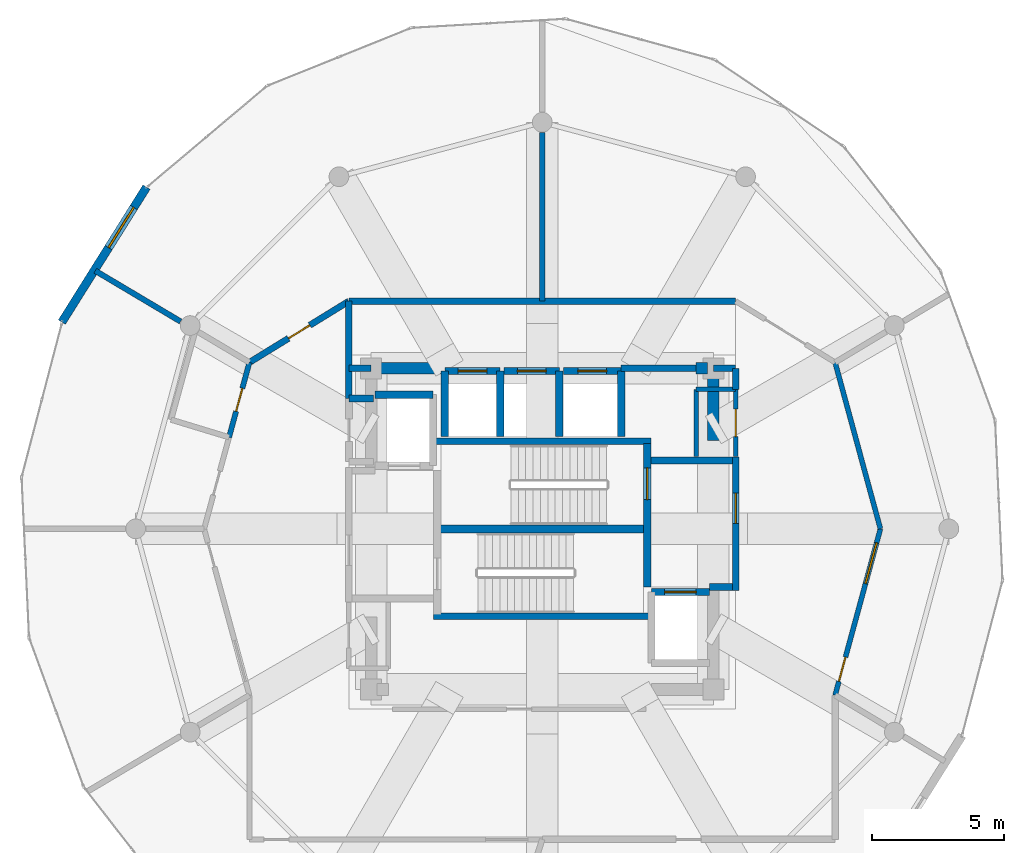
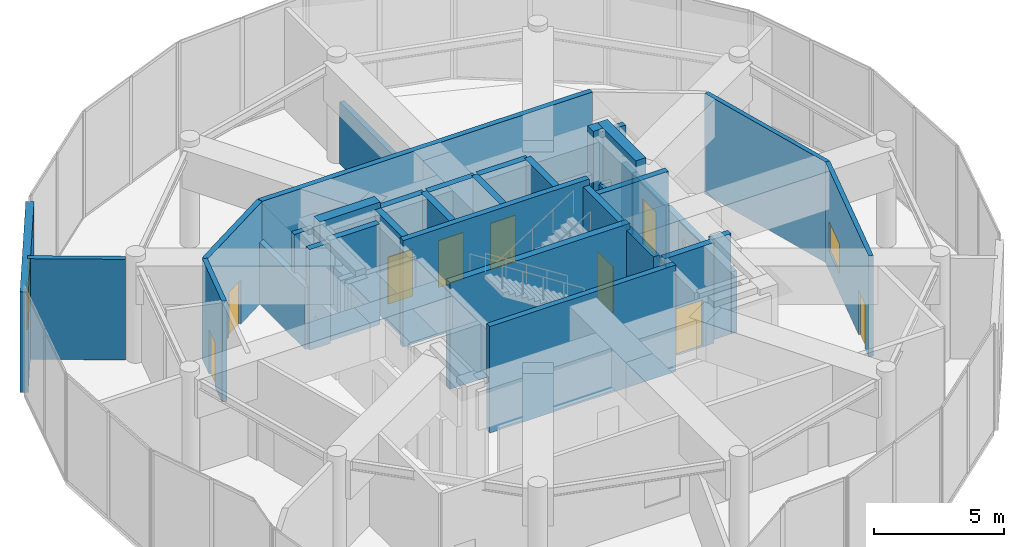
# One storey, part 18 of 20: 36 walls, 10 doors, 2 windows, 12 openings.
"""IFC4 building model written with IfcOpenShell, lengths in metres."""

import ifcopenshell
import ifcopenshell.guid

model = None  # the IFC model being written
_history = None  # IfcOwnerHistory: only IFC2X3 demands one
_inside = {}  # id of a spatial element -> (the spatial element, [elements in it])
_under = {}  # id of a project, library or spatial element -> (it, [spatial elements below it])
_declared = {}  # id of a project -> (the project, [libraries it declares])
_typed = {}  # id of a type object -> (the type object, [elements of that type])
_made_of = {}  # id of a material, layer set ... -> (it, [elements and type objects made of it])


def new_model(schema):
    """Start an empty IFC model of exactly this schema.

    Asked for "IFC4X3", IfcOpenShell would pick the latest addendum, in which some entities
    have other attributes; the version numbers below select the first issue.
    IFC2X3 requires an IfcOwnerHistory on every rooted entity: one is made here for all.
    """
    global model, _history
    if schema == "IFC4X3":
        model = ifcopenshell.file(schema_version=(4, 3, 0, 0))
    else:
        model = ifcopenshell.file(schema=schema)
    _inside.clear()
    _under.clear()
    _declared.clear()
    _typed.clear()
    _made_of.clear()
    _history = None
    if model.schema == "IFC2X3":
        org = make("IfcOrganization", Name="unknown")
        user = make(
            "IfcPersonAndOrganization",
            ThePerson=make("IfcPerson", FamilyName="unknown"),
            TheOrganization=org,
        )
        app = make(
            "IfcApplication",
            ApplicationDeveloper=org,
            Version="unknown",
            ApplicationFullName="unknown",
            ApplicationIdentifier="unknown",
        )
        _history = make(
            "IfcOwnerHistory",
            OwningUser=user,
            OwningApplication=app,
            ChangeAction="ADDED",
            CreationDate=0,
        )
    return model


def make(cls, **values):
    """One entity of the class cls with the attributes given. An attribute that is None is left unset."""
    return model.create_entity(
        cls, **{name: value for name, value in values.items() if value is not None}
    )


def rooted(cls, **values):
    """An entity with a GlobalId (a new one), such as an element, a storey or a relation."""
    return make(cls, GlobalId=ifcopenshell.guid.new(), OwnerHistory=_history, **values)


def si_unit(unit_type, name, prefix=None):
    """IfcSIUnit, for example si_unit("LENGTHUNIT", "METRE", prefix="MILLI")."""
    return make("IfcSIUnit", UnitType=unit_type, Prefix=prefix, Name=name)


def assignment(units):
    """IfcUnitAssignment: the units of a project."""
    return None if units is None else make("IfcUnitAssignment", Units=units)


def point(xyz):
    """IfcCartesianPoint."""
    return None if xyz is None else make("IfcCartesianPoint", Coordinates=xyz)


def direction(xyz):
    """IfcDirection."""
    return None if xyz is None else make("IfcDirection", DirectionRatios=xyz)


def frame(location, z_axis=None, x_axis=None):
    """IfcAxis2Placement3D, a coordinate frame: its origin and axes. An axis left out is left unset."""
    return make(
        "IfcAxis2Placement3D",
        Location=point(location),
        Axis=direction(z_axis),
        RefDirection=direction(x_axis),
    )


def frame_2d(location, x_axis=None):
    """IfcAxis2Placement2D, a coordinate frame in the plane: its origin and x axis."""
    return make(
        "IfcAxis2Placement2D", Location=point(location), RefDirection=direction(x_axis)
    )


def origin():
    """The frame at (0, 0, 0) with its axes left unset."""
    return frame((0.0, 0.0, 0.0))


def place(relative_to, where):
    """IfcLocalPlacement: puts the frame where relative to a parent placement (None: the world)."""
    return make(
        "IfcLocalPlacement", PlacementRelTo=relative_to, RelativePlacement=where
    )


def context(
    kind, dimensions, precision=None, world=None, true_north=None, identifier=None
):
    """IfcGeometricRepresentationContext, for example the 3D "Model" context."""
    return make(
        "IfcGeometricRepresentationContext",
        ContextIdentifier=identifier,
        ContextType=kind,
        CoordinateSpaceDimension=dimensions,
        Precision=precision,
        WorldCoordinateSystem=world,
        TrueNorth=true_north,
    )


def subcontext(parent, identifier, kind, view, scale=None):
    """IfcGeometricRepresentationSubContext, for example "Body" below "Model"."""
    return make(
        "IfcGeometricRepresentationSubContext",
        ContextIdentifier=identifier,
        ContextType=kind,
        ParentContext=parent,
        TargetScale=scale,
        TargetView=view,
    )


def project(units=None, contexts=None):
    """IfcProject with its units and contexts."""
    return rooted(
        "IfcProject",
        Name="project",
        RepresentationContexts=contexts,
        UnitsInContext=assignment(units),
    )


def spatial(cls, under=None, at=None, **own):
    """A site, building, storey or space (cls), placed at a placement, below another one or the project."""
    s = rooted(cls, ObjectPlacement=at, **own)
    if under is not None:
        _under.setdefault(under.id(), (under, []))[1].append(s)
    return s


def profile(cls, at=None, kind="AREA", **sizes):
    """A parametric profile (cls). Its sizes go by their IFC names, for example OverallWidth=200.0."""
    return make(cls, ProfileType=kind, Position=at, **sizes)


def rectangle(**sizes):
    """IfcRectangleProfileDef."""
    return profile("IfcRectangleProfileDef", **sizes)


def extrude(swept, where, along, depth):
    """IfcExtrudedAreaSolid: the profile swept, set in the frame where, extruded along a direction by depth."""
    return make(
        "IfcExtrudedAreaSolid",
        SweptArea=swept,
        Position=where,
        ExtrudedDirection=direction(along),
        Depth=depth,
    )


def shape(context_of_items, identifier, shape_type, items):
    """IfcShapeRepresentation: the items that make up one representation, for example the "Body"."""
    return make(
        "IfcShapeRepresentation",
        ContextOfItems=context_of_items,
        RepresentationIdentifier=identifier,
        RepresentationType=shape_type,
        Items=items,
    )


def material(Name=None, Category=None):
    """IfcMaterial."""
    return make("IfcMaterial", Name=Name, Category=Category)


def layer(
    of_material, thickness, ventilated=None, Name=None, Category=None, Priority=None
):
    """IfcMaterialLayer: one layer of a wall or slab, of a material (None: an air gap)."""
    return make(
        "IfcMaterialLayer",
        Material=of_material,
        LayerThickness=thickness,
        IsVentilated=ventilated,
        Name=Name,
        Category=Category,
        Priority=Priority,
    )


def layer_set(layers, Name=None):
    """IfcMaterialLayerSet."""
    return make("IfcMaterialLayerSet", MaterialLayers=layers, LayerSetName=Name)


def made_of(thing, what):
    """Note that an element or type object is made of a material, layer set ...; save() writes the relation."""
    if what is not None:
        _made_of.setdefault(what.id(), (what, []))[1].append(thing)
    return thing


def type_object(cls, material=None, **own):
    """A type object (cls), such as IfcWallType, which elements share."""
    return made_of(rooted(cls, **own), material)


def element(
    cls,
    number,
    at=None,
    inside=None,
    cuts=None,
    type_object=None,
    material=None,
    context=None,
    identifier="Body",
    shape_type=None,
    held_by="IfcProductDefinitionShape",
    body=None,
    shapes=None,
    **own,
):
    """One element of the class cls, such as IfcWall. Its Tag is "e" and its number.

    at: its placement. inside: the storey or other place that contains it. cuts: it is an
    opening in that element (IfcRelVoidsElement). A single representation is given by context,
    identifier, shape_type and body (its items); several are given by shapes. held_by: the class
    of the entity that holds the representations. save() writes the other relations.
    """
    e = rooted(cls, Tag="e%d" % number, ObjectPlacement=at, **own)
    if body is not None:
        shapes = [shape(context, identifier, shape_type, body)]
    if shapes is not None:
        e.Representation = make(held_by, Representations=shapes)
    if inside is not None:
        _inside.setdefault(inside.id(), (inside, []))[1].append(e)
    if cuts is not None:
        rooted(
            "IfcRelVoidsElement", RelatingBuildingElement=cuts, RelatedOpeningElement=e
        )
    if type_object is not None:
        _typed.setdefault(type_object.id(), (type_object, []))[1].append(e)
    return made_of(e, material)


def fill(opening, filler):
    """IfcRelFillsElement: the door or window that sits in an opening."""
    return rooted(
        "IfcRelFillsElement",
        RelatingOpeningElement=opening,
        RelatedBuildingElement=filler,
    )


def aggregate(whole, parts):
    """IfcRelAggregates: a whole, such as a stair, and the parts it consists of."""
    return rooted("IfcRelAggregates", RelatingObject=whole, RelatedObjects=parts)


def save(model, path):
    """Write the relations noted so far, then the file.

    IfcRelAggregates (storeys below a building ...), IfcRelContainedInSpatialStructure (elements
    in a storey), IfcRelDefinesByType, IfcRelAssociatesMaterial and IfcRelDeclares: one each for
    every whole, place, type object, material and project.
    """
    for whole, parts in _under.values():
        aggregate(whole, parts)
    for where, things in _inside.values():
        rooted(
            "IfcRelContainedInSpatialStructure",
            RelatedElements=things,
            RelatingStructure=where,
        )
    for kind, things in _typed.values():
        rooted("IfcRelDefinesByType", RelatedObjects=things, RelatingType=kind)
    for what, things in _made_of.values():
        rooted("IfcRelAssociatesMaterial", RelatedObjects=things, RelatingMaterial=what)
    for by, libraries in _declared.values():
        rooted("IfcRelDeclares", RelatingContext=by, RelatedDefinitions=libraries)
    model.write(path)


model = new_model("IFC4")

# Units and contexts
model_context = context("Model", 3, precision=1e-05, world=origin(), true_north=direction((0.0, 1.0)))
body_context = subcontext(model_context, "Body", "Model", "MODEL_VIEW")
ifc_project = project(units=[si_unit("LENGTHUNIT", "METRE"), si_unit("AREAUNIT", "SQUARE_METRE"), si_unit("VOLUMEUNIT", "CUBIC_METRE"), si_unit("PLANEANGLEUNIT", "RADIAN"), si_unit("MASSUNIT", "GRAM", prefix="KILO")], contexts=[model_context])

# Site, building, storey
site_placement = place(None, origin())
site = spatial("IfcSite", under=ifc_project, at=site_placement, CompositionType="ELEMENT")
building_placement = place(site_placement, origin())
building = spatial("IfcBuilding", under=site, at=building_placement, Name="Solvirekh Grand Hotel", CompositionType="ELEMENT")
storey_placement = place(building_placement, frame((0.0, 0.0, 297.199951171875)))
storey = spatial("IfcBuildingStorey", under=building, at=storey_placement, Name="L77", CompositionType="ELEMENT", Elevation=297.199951171875)

# Walls
ifc_material_1 = material(Name="Concrete C50/60", Category="concrete")
ifc_layer_1 = layer(ifc_material_1, 0.35009765625)
ifc_layer_set_1 = layer_set([ifc_layer_1], Name="Concrete C50/60")
wall_type_1 = type_object("IfcWallType", Name="CoreDivWall_RC350", PredefinedType="SOLIDWALL", material=ifc_layer_set_1)
for number, where, z_axis, x_axis, name in (
    (1, (-4.1298828125, -3.324951171875, 0.0), (0.0, 0.0, 1.0), (1.0, 0.0, 0.0), "L77 core stair box wall ST-S"),
    (2, (-4.1298828125, 3.324951171875, 0.0), (0.0, 0.0, 1.0), (1.0, 0.0, 0.0), "L77 core stair box wall ST-N"),
):
    element("IfcWall", number, at=place(storey_placement, frame(where, z_axis=z_axis, x_axis=x_axis)), inside=storey, type_object=wall_type_1, Name=name, PredefinedType="SOLIDWALL", context=body_context, shape_type="SweptSolid", body=[
        extrude(rectangle(XDim=8.259765625, YDim=0.25, at=frame_2d((4.1298828125, 0.0))), origin(), (0.0, 0.0, 1.0), 5.0),
    ])

# Wall, opening, door
ifc_material_2 = material(Name="Concrete C40/50", Category="concrete")
ifc_layer_2 = layer(ifc_material_2, 0.280029296875)
ifc_layer_set_2 = layer_set([ifc_layer_2], Name="Concrete C40/50")
wall_type_2 = type_object("IfcWallType", Name="CoreShaftWall_RC280", PredefinedType="SOLIDWALL", material=ifc_layer_set_2)
wall_1_placement = place(storey_placement, frame((-1.60009765625, 6.0, 0.0), z_axis=(0.0, 0.0, 1.0), x_axis=(-1.0, 0.0, 0.0)))
wall_1 = element("IfcWall", 3, at=wall_1_placement, inside=storey, type_object=wall_type_2, Name="L77 HP-1 hoistway N wall", PredefinedType="SOLIDWALL", context=body_context, shape_type="SweptSolid", body=[
    extrude(rectangle(XDim=2.099853515625, YDim=0.280029296875, at=frame_2d((1.0498046875, 0.0))), origin(), (0.0, 0.0, 1.0), 4.719970703125),
])
opening_1_placement = place(wall_1_placement, frame((0.5, 0.0, 0.0)))
opening_1 = element("IfcOpeningElement", 4, at=opening_1_placement, cuts=wall_1, Name="Opening LD01", PredefinedType="OPENING", context=body_context, shape_type="SweptSolid", body=[
    extrude(rectangle(XDim=1.10009765625, YDim=2.199951171875, at=frame_2d((0.550048828125, 1.10009765625))), frame((0.0, 0.14990234375, 0.0), z_axis=(0.0, -1.0, 0.0), x_axis=(1.0, 0.0, 0.0)), (0.0, 0.0, 1.0), 0.300048828125),
])
ifc_material_3 = material(Name="Fire-Rated Steel Door Assembly", Category="steel")
door_type_1 = type_object("IfcDoorType", Name="Door_LiftLanding_1100X2200", OperationType="SLIDING_TO_LEFT", PredefinedType="DOOR", material=ifc_material_3)
door_1_placement = place(opening_1_placement, origin())
door_1 = element("IfcDoor", 5, at=door_1_placement, inside=storey, type_object=door_type_1, Name="L77 HP-1 sliding lift landing door", OperationType="SLIDING_TO_LEFT", OverallHeight=2.199951171875, OverallWidth=1.10009765625, PredefinedType="DOOR", context=body_context, shape_type="SweptSolid", body=[
    extrude(rectangle(XDim=1.10009765625, YDim=2.199951171875, at=frame_2d((0.550048828125, 1.10009765625))), frame((0.0, 0.02490234375, 0.0), z_axis=(0.0, -1.0, 0.0), x_axis=(1.0, 0.0, 0.0)), (0.0, 0.0, 1.0), 0.050048828125),
])
fill(opening_1, door_1)

# Walls
for number, where, z_axis, x_axis, name in (
    (6, (-3.699951171875, 6.0, 0.0), (0.0, 0.0, 1.0), (0.0, -1.0, 0.0), "L77 HP-1 hoistway W wall"),
    (7, (-1.60009765625, 3.5, 0.0), (0.0, 0.0, 1.0), (0.0, 1.0, 0.0), "L77 HP-1 hoistway E wall"),
):
    element("IfcWall", number, at=place(storey_placement, frame(where, z_axis=z_axis, x_axis=x_axis)), inside=storey, type_object=wall_type_2, Name=name, PredefinedType="SOLIDWALL", context=body_context, shape_type="SweptSolid", body=[
        extrude(rectangle(XDim=2.5, YDim=0.280029296875, at=frame_2d((1.25, 0.0))), origin(), (0.0, 0.0, 1.0), 4.719970703125),
    ])

# Wall, opening, door
wall_2_placement = place(storey_placement, frame((0.64990234375, 6.0, 0.0), z_axis=(0.0, 0.0, 1.0), x_axis=(-1.0, 0.0, 0.0)))
wall_2 = element("IfcWall", 8, at=wall_2_placement, inside=storey, type_object=wall_type_2, Name="L77 HP-2 hoistway N wall", PredefinedType="SOLIDWALL", context=body_context, shape_type="SweptSolid", body=[
    extrude(rectangle(XDim=2.099853515625, YDim=0.280029296875, at=frame_2d((1.0498046875, 0.0))), origin(), (0.0, 0.0, 1.0), 4.719970703125),
])
opening_2_placement = place(wall_2_placement, frame((0.5, 0.0, 0.0)))
opening_2 = element("IfcOpeningElement", 9, at=opening_2_placement, cuts=wall_2, Name="Opening LD01", PredefinedType="OPENING", context=body_context, shape_type="SweptSolid", body=[
    extrude(rectangle(XDim=1.10009765625, YDim=2.199951171875, at=frame_2d((0.550048828125, 1.10009765625))), frame((0.0, 0.14990234375, 0.0), z_axis=(0.0, -1.0, 0.0), x_axis=(1.0, 0.0, 0.0)), (0.0, 0.0, 1.0), 0.300048828125),
])
door_2_placement = place(opening_2_placement, origin())
door_2 = element("IfcDoor", 10, at=door_2_placement, inside=storey, type_object=door_type_1, Name="L77 HP-2 sliding lift landing door", OperationType="SLIDING_TO_LEFT", OverallHeight=2.199951171875, OverallWidth=1.10009765625, PredefinedType="DOOR", context=body_context, shape_type="SweptSolid", body=[
    extrude(rectangle(XDim=1.10009765625, YDim=2.199951171875, at=frame_2d((0.550048828125, 1.10009765625))), frame((0.0, 0.02490234375, 0.0), z_axis=(0.0, -1.0, 0.0), x_axis=(1.0, 0.0, 0.0)), (0.0, 0.0, 1.0), 0.050048828125),
])
fill(opening_2, door_2)

# Wall
wall_3_placement = place(storey_placement, frame((0.64990234375, 3.5, 0.0), z_axis=(0.0, 0.0, 1.0), x_axis=(0.0, 1.0, 0.0)))
element("IfcWall", 11, at=wall_3_placement, inside=storey, type_object=wall_type_2, Name="L77 HP-2 hoistway E wall", PredefinedType="SOLIDWALL", context=body_context, shape_type="SweptSolid", body=[
    extrude(rectangle(XDim=2.5, YDim=0.280029296875, at=frame_2d((1.25, 0.0))), origin(), (0.0, 0.0, 1.0), 4.719970703125),
])

# Wall, opening, door
wall_4_placement = place(storey_placement, frame((3.0, 6.0, 0.0), z_axis=(0.0, 0.0, 1.0), x_axis=(-1.0, 0.0, 0.0)))
wall_4 = element("IfcWall", 12, at=wall_4_placement, inside=storey, type_object=wall_type_2, Name="L77 EX-1 hoistway N wall", PredefinedType="SOLIDWALL", context=body_context, shape_type="SweptSolid", body=[
    extrude(rectangle(XDim=2.199951171875, YDim=0.280029296875, at=frame_2d((1.10009765625, 0.0))), origin(), (0.0, 0.0, 1.0), 4.719970703125),
])
opening_3_placement = place(wall_4_placement, frame((0.550048828125, 0.0, 0.0)))
opening_3 = element("IfcOpeningElement", 13, at=opening_3_placement, cuts=wall_4, Name="Opening LD01", PredefinedType="OPENING", context=body_context, shape_type="SweptSolid", body=[
    extrude(rectangle(XDim=1.10009765625, YDim=2.199951171875, at=frame_2d((0.550048828125, 1.10009765625))), frame((0.0, 0.14990234375, 0.0), z_axis=(0.0, -1.0, 0.0), x_axis=(1.0, 0.0, 0.0)), (0.0, 0.0, 1.0), 0.300048828125),
])
door_3_placement = place(opening_3_placement, origin())
door_3 = element("IfcDoor", 14, at=door_3_placement, inside=storey, type_object=door_type_1, Name="L77 EX-1 sliding lift landing door", OperationType="SLIDING_TO_LEFT", OverallHeight=2.199951171875, OverallWidth=1.10009765625, PredefinedType="DOOR", context=body_context, shape_type="SweptSolid", body=[
    extrude(rectangle(XDim=1.10009765625, YDim=2.199951171875, at=frame_2d((0.550048828125, 1.10009765625))), frame((0.0, 0.02490234375, 0.0), z_axis=(0.0, -1.0, 0.0), x_axis=(1.0, 0.0, 0.0)), (0.0, 0.0, 1.0), 0.050048828125),
])
fill(opening_3, door_3)

# Walls
wall_5_placement = place(storey_placement, frame((3.0, 3.5, 0.0), z_axis=(0.0, 0.0, 1.0), x_axis=(0.0, 1.0, 0.0)))
element("IfcWall", 15, at=wall_5_placement, inside=storey, type_object=wall_type_2, Name="L77 EX-1 hoistway E wall", PredefinedType="SOLIDWALL", context=body_context, shape_type="SweptSolid", body=[
    extrude(rectangle(XDim=2.5, YDim=0.280029296875, at=frame_2d((1.25, 0.0))), origin(), (0.0, 0.0, 1.0), 4.719970703125),
])
wall_6_placement = place(storey_placement, frame((-4.14990234375, 5.10009765625, 0.0), z_axis=(0.0, 0.0, 1.0), x_axis=(-1.0, 0.0, 0.0)))
element("IfcWall", 16, at=wall_6_placement, inside=storey, type_object=wall_type_2, Name="L77 FL-1 hoistway N wall", PredefinedType="SOLIDWALL", context=body_context, shape_type="SweptSolid", body=[
    extrude(rectangle(XDim=2.2001953125, YDim=0.280029296875, at=frame_2d((1.10009765625, 0.0))), origin(), (0.0, 0.0, 1.0), 4.719970703125),
])

# Wall, opening, door
wall_7_placement = place(storey_placement, frame((6.35009765625, -2.39990234375, 0.0), z_axis=(0.0, 0.0, 1.0), x_axis=(-1.0, 0.0, 0.0)))
wall_7 = element("IfcWall", 17, at=wall_7_placement, inside=storey, type_object=wall_type_2, Name="L77 FL-2 hoistway N wall", PredefinedType="SOLIDWALL", context=body_context, shape_type="SweptSolid", body=[
    extrude(rectangle(XDim=2.2001953125, YDim=0.280029296875, at=frame_2d((1.10009765625, 0.0))), origin(), (0.0, 0.0, 1.0), 4.719970703125),
])
opening_4_placement = place(wall_7_placement, frame((0.5, 0.0, 0.0)))
opening_4 = element("IfcOpeningElement", 18, at=opening_4_placement, cuts=wall_7, Name="Opening LD02", PredefinedType="OPENING", context=body_context, shape_type="SweptSolid", body=[
    extrude(rectangle(XDim=1.199951171875, YDim=2.199951171875, at=frame_2d((0.60009765625, 1.10009765625))), frame((0.0, 0.14990234375, 0.0), z_axis=(0.0, -1.0, 0.0), x_axis=(1.0, 0.0, 0.0)), (0.0, 0.0, 1.0), 0.300048828125),
])
door_type_2 = type_object("IfcDoorType", Name="Door_LiftFF_1200X2200", OperationType="SLIDING_TO_LEFT", PredefinedType="DOOR", material=ifc_material_3)
door_4_placement = place(opening_4_placement, origin())
door_4 = element("IfcDoor", 19, at=door_4_placement, inside=storey, type_object=door_type_2, Name="L77 FL-2 sliding lift landing door", OperationType="SLIDING_TO_LEFT", OverallHeight=2.199951171875, OverallWidth=1.199951171875, PredefinedType="DOOR", context=body_context, shape_type="SweptSolid", body=[
    extrude(rectangle(XDim=1.199951171875, YDim=2.199951171875, at=frame_2d((0.60009765625, 1.10009765625))), frame((0.0, 0.02490234375, 0.0), z_axis=(0.0, -1.0, 0.0), x_axis=(1.0, 0.0, 0.0)), (0.0, 0.0, 1.0), 0.050048828125),
])
fill(opening_4, door_4)

wall_8_placement = place(storey_placement, frame((3.989990234375, -2.2099609375, 0.0), z_axis=(0.0, 0.0, 1.0), x_axis=(0.0, 1.0, 0.0)))
wall_8 = element("IfcWall", 20, at=wall_8_placement, inside=storey, type_object=wall_type_2, Name="L77 east stair landing enclosure wall", PredefinedType="SOLIDWALL", context=body_context, shape_type="SweptSolid", body=[
    extrude(rectangle(XDim=5.4599609375, YDim=0.280029296875, at=frame_2d((2.72998046875, 0.0))), origin(), (0.0, 0.0, 1.0), 4.719970703125),
])
opening_5_placement = place(wall_8_placement, frame((3.322998046875, 0.0, 0.0)))
opening_5 = element("IfcOpeningElement", 21, at=opening_5_placement, cuts=wall_8, Name="Opening D05", PredefinedType="OPENING", context=body_context, shape_type="SweptSolid", body=[
    extrude(rectangle(XDim=1.199951171875, YDim=2.199951171875, at=frame_2d((0.60009765625, 1.10009765625))), frame((0.0, 0.14990234375, 0.0), z_axis=(0.0, -1.0, 0.0), x_axis=(1.0, 0.0, 0.0)), (0.0, 0.0, 1.0), 0.300048828125),
])
door_type_3 = type_object("IfcDoorType", Name="Door_StairCore_1200X2200", OperationType="NOTDEFINED", PredefinedType="DOOR", material=ifc_material_3)
door_5_placement = place(opening_5_placement, origin())
door_5 = element("IfcDoor", 22, at=door_5_placement, inside=storey, type_object=door_type_3, Name="L77 exit stair ST-2 fire door", OperationType="SINGLE_SWING_LEFT", OverallHeight=2.199951171875, OverallWidth=1.199951171875, PredefinedType="DOOR", context=body_context, shape_type="SweptSolid", body=[
    extrude(rectangle(XDim=1.199951171875, YDim=2.199951171875, at=frame_2d((0.60009765625, 1.10009765625))), frame((0.0, 0.02490234375, 0.0), z_axis=(0.0, -1.0, 0.0), x_axis=(1.0, 0.0, 0.0)), (0.0, 0.0, 1.0), 0.050048828125),
])
fill(opening_5, door_5)

# Walls
ifc_layer_3 = layer(ifc_material_1, 0.449951171875)
ifc_layer_set_3 = layer_set([ifc_layer_3], Name="Concrete C50/60")
wall_type_3 = type_object("IfcWallType", Name="CoreWall_RC450", PredefinedType="SHEAR", material=ifc_layer_set_3)
wall_9_placement = place(storey_placement, frame((-3.989990234375, 0.0, 0.0), z_axis=(0.0, 0.0, 1.0), x_axis=(1.0, 0.0, 0.0)))
element("IfcWall", 23, at=wall_9_placement, inside=storey, type_object=wall_type_3, Name="L77 central stair-spine shear wall", PredefinedType="SHEAR", context=body_context, shape_type="SweptSolid", body=[
    extrude(rectangle(XDim=7.97998046875, YDim=0.300048828125, at=frame_2d((3.989990234375, 0.0))), origin(), (0.0, 0.0, 1.0), 5.0),
])
wall_10_placement = place(storey_placement, frame((-6.27490234375, 6.10009765625, 0.0), z_axis=(0.0, 0.0, 1.0), x_axis=(1.0, 0.0, 0.0)))
element("IfcWall", 24, at=wall_10_placement, inside=storey, type_object=wall_type_3, Name="L77 core corner shear wall NW-N", PredefinedType="SHEAR", context=body_context, shape_type="SweptSolid", body=[
    extrude(rectangle(XDim=2.6748046875, YDim=0.449951171875, at=frame_2d((1.33740234375, 0.0))), origin(), (0.0, 0.0, 1.0), 5.0),
])
wall_11_placement = place(storey_placement, frame((5.85009765625, 6.10009765625, 0.0), z_axis=(0.0, 0.0, 1.0), x_axis=(1.0, 0.0, 0.0)))
element("IfcWall", 25, at=wall_11_placement, inside=storey, type_object=wall_type_3, Name="L77 core corner shear wall NE-N", PredefinedType="SHEAR", context=body_context, shape_type="SweptSolid", body=[
    extrude(rectangle(XDim=0.4248046875, YDim=0.449951171875, at=frame_2d((0.21240234375, 0.0))), origin(), (0.0, 0.0, 1.0), 5.0),
])
wall_12_placement = place(storey_placement, frame((6.5, 3.35009765625, 0.0), z_axis=(0.0, 0.0, 1.0), x_axis=(0.0, 1.0, 0.0)))
element("IfcWall", 26, at=wall_12_placement, inside=storey, type_object=wall_type_3, Name="L77 core corner shear wall EN-E", PredefinedType="SHEAR", context=body_context, shape_type="SweptSolid", body=[
    extrude(rectangle(XDim=2.974853515625, YDim=0.449951171875, at=frame_2d((1.4873046875, 0.0))), origin(), (0.0, 0.0, 1.0), 5.0),
])

# Wall, opening, window
ifc_material_4 = material(Name="Precast concrete C45/55", Category="concrete")
ifc_layer_4 = layer(ifc_material_4, 0.320068359375)
ifc_layer_set_4 = layer_set([ifc_layer_4], Name="Precast concrete C45/55")
wall_type_4 = type_object("IfcWallType", Name="ExtLobbyWall_RC320", PredefinedType="SOLIDWALL", material=ifc_layer_set_4)
wall_13_placement = place(storey_placement, frame((-18.2548828125, 7.85693359375, 0.0), z_axis=(0.0, 0.0, 1.0), x_axis=(0.531386665451, 0.847129394945, 0.0)))
wall_13 = element("IfcWall", 27, at=wall_13_placement, inside=storey, type_object=wall_type_4, Name="L77 exterior structural wall chord 14", PredefinedType="SOLIDWALL", context=body_context, shape_type="SweptSolid", body=[
    extrude(rectangle(XDim=6.0537109375, YDim=0.320068359375, at=frame_2d((3.02685546875, 0.0))), origin(), (0.0, 0.0, 1.0), 4.719970703125),
])
opening_6_placement = place(wall_13_placement, frame((3.340087890625, 0.0, 0.60009765625)))
opening_6 = element("IfcOpeningElement", 28, at=opening_6_placement, cuts=wall_13, Name="Opening SK02", PredefinedType="OPENING", context=body_context, shape_type="SweptSolid", body=[
    extrude(rectangle(XDim=1.800048828125, YDim=2.199951171875, at=frame_2d((0.89990234375, 1.10009765625))), frame((0.0, 0.169921875, 0.0), z_axis=(0.0, -1.0, 0.0), x_axis=(1.0, 0.0, 0.0)), (0.0, 0.0, 1.0), 0.340087890625),
])
ifc_material_5 = material(Name="Champagne Low-Iron Crown Laminated Glass", Category="glass")
window_type_1 = type_object("IfcWindowType", Name="Skylight_Pod_1800X2200", PartitioningType="SINGLE_PANEL", PredefinedType="SKYLIGHT", material=ifc_material_5)
window_1_placement = place(opening_6_placement, origin())
window_1 = element("IfcWindow", 29, at=window_1_placement, inside=storey, type_object=window_type_1, Name="L77 high-level clerestory skylight 14", OverallHeight=2.199951171875, OverallWidth=1.800048828125, PartitioningType="SINGLE_PANEL", PredefinedType="SKYLIGHT", context=body_context, shape_type="SweptSolid", body=[
    extrude(rectangle(XDim=1.800048828125, YDim=2.199951171875, at=frame_2d((0.89990234375, 1.10009765625))), frame((0.0, 0.030029296875, 0.0), z_axis=(0.0, -1.0, 0.0), x_axis=(1.0, 0.0, 0.0)), (0.0, 0.0, 1.0), 0.06005859375),
])
fill(opening_6, window_1)

# Wall, opening, door
ifc_material_6 = material(Name="Acoustic Gypsum Partition Assembly")
ifc_layer_5 = layer(ifc_material_6, 0.1650390625)
ifc_layer_set_5 = layer_set([ifc_layer_5], Name="Acoustic Gypsum Partition Assembly")
wall_type_5 = type_object("IfcWallType", Name="Part_BOH_165", PredefinedType="PARTITIONING", material=ifc_layer_set_5)
wall_14_placement = place(storey_placement, frame((7.35009765625, 2.75, 0.0), z_axis=(0.0, 0.0, 1.0), x_axis=(0.0, 1.0, 0.0)))
wall_14 = element("IfcWall", 30, at=wall_14_placement, inside=storey, type_object=wall_type_5, Name="L77 L77 Telecom Distribution Room wall 2", PredefinedType="PARTITIONING", context=body_context, shape_type="SweptSolid", body=[
    extrude(rectangle(XDim=2.550048828125, YDim=0.1650390625, at=frame_2d((1.27490234375, 0.0))), origin(), (0.0, 0.0, 1.0), 2.905029296875),
])
opening_7_placement = place(wall_14_placement, frame((0.75, 0.0, 0.0)))
opening_7 = element("IfcOpeningElement", 31, at=opening_7_placement, cuts=wall_14, Name="Opening D12", PredefinedType="OPENING", context=body_context, shape_type="SweptSolid", body=[
    extrude(rectangle(XDim=1.050048828125, YDim=2.14990234375, at=frame_2d((0.52490234375, 1.074951171875))), frame((0.0, 0.092529296875, 0.0), z_axis=(0.0, -1.0, 0.0), x_axis=(1.0, 0.0, 0.0)), (0.0, 0.0, 1.0), 0.18505859375),
])
door_type_4 = type_object("IfcDoorType", Name="Door_PlantBOH_1050X2150", OperationType="NOTDEFINED", PredefinedType="DOOR", material=ifc_material_3)
door_6_placement = place(opening_7_placement, origin())
door_6 = element("IfcDoor", 32, at=door_6_placement, inside=storey, type_object=door_type_4, Name="L77 L77 Telecom Distribution Room door", OperationType="SINGLE_SWING_RIGHT", OverallHeight=2.14990234375, OverallWidth=1.050048828125, PredefinedType="DOOR", context=body_context, shape_type="SweptSolid", body=[
    extrude(rectangle(XDim=1.050048828125, YDim=2.14990234375, at=frame_2d((0.52490234375, 1.074951171875))), frame((0.0, 0.02490234375, 0.0), z_axis=(0.0, -1.0, 0.0), x_axis=(1.0, 0.0, 0.0)), (0.0, 0.0, 1.0), 0.050048828125),
])
fill(opening_7, door_6)

# Walls
wall_15_placement = place(storey_placement, frame((7.35009765625, 5.300048828125, 0.0), z_axis=(0.0, 0.0, 1.0), x_axis=(-1.0, 0.0, 0.0)))
element("IfcWall", 33, at=wall_15_placement, inside=storey, type_object=wall_type_5, Name="L77 L77 Telecom Distribution Room wall 3", PredefinedType="PARTITIONING", context=body_context, shape_type="SweptSolid", body=[
    extrude(rectangle(XDim=1.5, YDim=0.1650390625, at=frame_2d((0.75, 0.0))), origin(), (0.0, 0.0, 1.0), 2.905029296875),
])
wall_16_placement = place(storey_placement, frame((5.85009765625, 5.300048828125, 0.0), z_axis=(0.0, 0.0, 1.0), x_axis=(0.0, -1.0, 0.0)))
element("IfcWall", 34, at=wall_16_placement, inside=storey, type_object=wall_type_5, Name="L77 L77 Telecom Distribution Room wall 4", PredefinedType="PARTITIONING", context=body_context, shape_type="SweptSolid", body=[
    extrude(rectangle(XDim=2.550048828125, YDim=0.1650390625, at=frame_2d((1.27490234375, 0.0))), origin(), (0.0, 0.0, 1.0), 2.905029296875),
])

# Wall, opening, door
ifc_layer_6 = layer(ifc_material_6, 0.239990234375)
ifc_layer_set_6 = layer_set([ifc_layer_6], Name="Acoustic Gypsum Partition Assembly")
wall_type_6 = type_object("IfcWallType", Name="Part_Corridor_240", PredefinedType="PARTITIONING", material=ifc_layer_set_6)
wall_17_placement = place(storey_placement, frame((7.35009765625, -2.340087890625, 0.0), z_axis=(0.0, 0.0, 1.0), x_axis=(0.0, 1.0, 0.0)))
wall_17 = element("IfcWall", 35, at=wall_17_placement, inside=storey, type_object=wall_type_6, Name="L77 east firefighting lobby smoke screen wall", PredefinedType="PARTITIONING", context=body_context, shape_type="SweptSolid", body=[
    extrude(rectangle(XDim=5.070068359375, YDim=0.239990234375, at=frame_2d((2.53515625, 0.0))), origin(), (0.0, 0.0, 1.0), 2.905029296875),
])
opening_8_placement = place(wall_17_placement, frame((2.548095703125, 0.0, 0.0)))
opening_8 = element("IfcOpeningElement", 36, at=opening_8_placement, cuts=wall_17, Name="Opening D06", PredefinedType="OPENING", context=body_context, shape_type="SweptSolid", body=[
    extrude(rectangle(XDim=1.14990234375, YDim=2.199951171875, at=frame_2d((0.574951171875, 1.10009765625))), frame((0.0, 0.1298828125, 0.0), z_axis=(0.0, -1.0, 0.0), x_axis=(1.0, 0.0, 0.0)), (0.0, 0.0, 1.0), 0.260009765625),
])
door_type_5 = type_object("IfcDoorType", Name="Door_FFLobby_1150X2200", OperationType="NOTDEFINED", PredefinedType="DOOR", material=ifc_material_3)
door_7_placement = place(opening_8_placement, origin())
door_7 = element("IfcDoor", 37, at=door_7_placement, inside=storey, type_object=door_type_5, Name="L77 east firefighting lobby smoke door", OperationType="SINGLE_SWING_LEFT", OverallHeight=2.199951171875, OverallWidth=1.14990234375, PredefinedType="DOOR", context=body_context, shape_type="SweptSolid", body=[
    extrude(rectangle(XDim=1.14990234375, YDim=2.199951171875, at=frame_2d((0.574951171875, 1.10009765625))), frame((0.0, 0.02490234375, 0.0), z_axis=(0.0, -1.0, 0.0), x_axis=(1.0, 0.0, 0.0)), (0.0, 0.0, 1.0), 0.050048828125),
])
fill(opening_8, door_7)

# Walls
wall_18_placement = place(storey_placement, frame((-7.35009765625, 8.64990234375, 0.0), z_axis=(0.0, 0.0, 1.0), x_axis=(1.0, 0.0, 0.0)))
element("IfcWall", 38, at=wall_18_placement, inside=storey, type_object=wall_type_6, Name="L77 north lift lobby enclosure wall", PredefinedType="PARTITIONING", context=body_context, shape_type="SweptSolid", body=[
    extrude(rectangle(XDim=14.7001953125, YDim=0.239990234375, at=frame_2d((7.35009765625, 0.0))), origin(), (0.0, 0.0, 1.0), 4.719970703125),
])
wall_19_placement = place(storey_placement, frame((3.0, 6.10009765625, 0.0), z_axis=(0.0, 0.0, 1.0), x_axis=(1.0, 0.0, 0.0)))
element("IfcWall", 39, at=wall_19_placement, inside=storey, type_object=wall_type_6, Name="L77 north core shaft infill wall", PredefinedType="PARTITIONING", context=body_context, shape_type="SweptSolid", body=[
    extrude(rectangle(XDim=2.85009765625, YDim=0.239990234375, at=frame_2d((1.425048828125, 0.0))), origin(), (0.0, 0.0, 1.0), 2.905029296875),
])
wall_20_placement = place(storey_placement, frame((7.35009765625, 5.300048828125, 0.0), z_axis=(0.0, 0.0, 1.0), x_axis=(0.0, 1.0, 0.0)))
element("IfcWall", 40, at=wall_20_placement, inside=storey, type_object=wall_type_6, Name="L77 NE core cheek closure wall", PredefinedType="PARTITIONING", context=body_context, shape_type="SweptSolid", body=[
    extrude(rectangle(XDim=0.800048828125, YDim=0.239990234375, at=frame_2d((0.39990234375, 0.0))), origin(), (0.0, 0.0, 1.0), 2.905029296875),
])
wall_21_placement = place(storey_placement, frame((6.5, 6.10009765625, 0.0), z_axis=(0.0, 0.0, 1.0), x_axis=(1.0, 0.0, 0.0)))
element("IfcWall", 41, at=wall_21_placement, inside=storey, type_object=wall_type_6, Name="L77 NE core corner tie wall", PredefinedType="PARTITIONING", context=body_context, shape_type="SweptSolid", body=[
    extrude(rectangle(XDim=0.85009765625, YDim=0.239990234375, at=frame_2d((0.425048828125, 0.0))), origin(), (0.0, 0.0, 1.0), 4.719970703125),
])
wall_22_placement = place(storey_placement, frame((-7.35009765625, 4.949951171875, 0.0), z_axis=(0.0, 0.0, 1.0), x_axis=(0.0, 1.0, 0.0)))
element("IfcWall", 42, at=wall_22_placement, inside=storey, type_object=wall_type_6, Name="L77 north lift lobby west wall", PredefinedType="PARTITIONING", context=body_context, shape_type="SweptSolid", body=[
    extrude(rectangle(XDim=3.699951171875, YDim=0.239990234375, at=frame_2d((1.85009765625, 0.0))), origin(), (0.0, 0.0, 1.0), 2.905029296875),
])
wall_23_placement = place(storey_placement, frame((-7.35009765625, 6.10009765625, 0.0), z_axis=(0.0, 0.0, 1.0), x_axis=(1.0, 0.0, 0.0)))
element("IfcWall", 43, at=wall_23_placement, inside=storey, type_object=wall_type_6, Name="L77 NW core corner closure wall", PredefinedType="PARTITIONING", context=body_context, shape_type="SweptSolid", body=[
    extrude(rectangle(XDim=0.85009765625, YDim=0.239990234375, at=frame_2d((0.425048828125, 0.0))), origin(), (0.0, 0.0, 1.0), 4.719970703125),
])

# Wall, opening, door
wall_24_placement = place(storey_placement, frame((-11.1279296875, 6.324951171875, 0.0), z_axis=(0.0, 0.0, 1.0), x_axis=(0.851645088617, 0.524118920699, 0.0)))
wall_24 = element("IfcWall", 44, at=wall_24_placement, inside=storey, type_object=wall_type_6, Name="L77 Moscow 360 Curatorial Office & Exhibition Gallery corridor wall", PredefinedType="PARTITIONING", context=body_context, shape_type="SweptSolid", body=[
    extrude(rectangle(XDim=4.43603515625, YDim=0.239990234375, at=frame_2d((2.218017578125, 0.0))), origin(), (0.0, 0.0, 1.0), 4.719970703125),
])
opening_9_placement = place(wall_24_placement, frame((1.742919921875, 0.0, 0.0)))
opening_9 = element("IfcOpeningElement", 45, at=opening_9_placement, cuts=wall_24, Name="Opening D10", PredefinedType="OPENING", context=body_context, shape_type="SweptSolid", body=[
    extrude(rectangle(XDim=0.949951171875, YDim=2.10009765625, at=frame_2d((0.47509765625, 1.050048828125))), frame((0.0, 0.1298828125, 0.0), z_axis=(0.0, -1.0, 0.0), x_axis=(1.0, 0.0, 0.0)), (0.0, 0.0, 1.0), 0.260009765625),
])
ifc_material_7 = material(Name="Anodized Bronze Aluminium 6063-T6", Category="aluminium")
door_type_6 = type_object("IfcDoorType", Name="Door_RoomInt_950X2100", OperationType="NOTDEFINED", PredefinedType="DOOR", material=ifc_material_7)
door_8_placement = place(opening_9_placement, origin())
door_8 = element("IfcDoor", 46, at=door_8_placement, inside=storey, type_object=door_type_6, Name="L77 Moscow 360 Curatorial Office & Exhibition Gallery entrance door", OperationType="SINGLE_SWING_LEFT", OverallHeight=2.10009765625, OverallWidth=0.949951171875, PredefinedType="DOOR", context=body_context, shape_type="SweptSolid", body=[
    extrude(rectangle(XDim=0.949951171875, YDim=2.10009765625, at=frame_2d((0.47509765625, 1.050048828125))), frame((0.0, 0.02490234375, 0.0), z_axis=(0.0, -1.0, 0.0), x_axis=(1.0, 0.0, 0.0)), (0.0, 0.0, 1.0), 0.050048828125),
])
fill(opening_9, door_8)

# Wall, openings, door, window
ifc_layer_7 = layer(ifc_material_6, 0.18994140625)
ifc_layer_set_7 = layer_set([ifc_layer_7], Name="Acoustic Gypsum Partition Assembly")
wall_type_7 = type_object("IfcWallType", Name="Part_GuestDemise_190", PredefinedType="PARTITIONING", material=ifc_layer_set_7)
wall_25_placement = place(storey_placement, frame((11.1279296875, -6.324951171875, 0.0), z_axis=(0.0, 0.0, 1.0), x_axis=(0.262717156474, 0.964872890952, 0.0)))
wall_25 = element("IfcWall", 47, at=wall_25_placement, inside=storey, type_object=wall_type_7, Name="L77 Cloud Point Champagne Restaurant & Bar corridor wall", PredefinedType="PARTITIONING", context=body_context, shape_type="SweptSolid", body=[
    extrude(rectangle(XDim=6.55517578125, YDim=0.18994140625, at=frame_2d((3.277587890625, 0.0))), origin(), (0.0, 0.0, 1.0), 4.719970703125),
])
opening_10_placement = place(wall_25_placement, frame((0.550048828125, 0.0, 0.0)))
opening_10 = element("IfcOpeningElement", 48, at=opening_10_placement, cuts=wall_25, Name="Opening D10", PredefinedType="OPENING", context=body_context, shape_type="SweptSolid", body=[
    extrude(rectangle(XDim=0.949951171875, YDim=2.10009765625, at=frame_2d((0.47509765625, 1.050048828125))), frame((0.0, 0.10498046875, 0.0), z_axis=(0.0, -1.0, 0.0), x_axis=(1.0, 0.0, 0.0)), (0.0, 0.0, 1.0), 0.2099609375),
])
opening_11_placement = place(wall_25_placement, frame((4.405029296875, 0.0, 0.89990234375)))
opening_11 = element("IfcOpeningElement", 49, at=opening_11_placement, cuts=wall_25, Name="Opening W04", PredefinedType="OPENING", context=body_context, shape_type="SweptSolid", body=[
    extrude(rectangle(XDim=1.60009765625, YDim=1.39990234375, at=frame_2d((0.800048828125, 0.699951171875))), frame((0.0, 0.10498046875, 0.0), z_axis=(0.0, -1.0, 0.0), x_axis=(1.0, 0.0, 0.0)), (0.0, 0.0, 1.0), 0.2099609375),
])
door_9_placement = place(opening_10_placement, origin())
door_9 = element("IfcDoor", 50, at=door_9_placement, inside=storey, type_object=door_type_6, Name="L77 Cloud Point Champagne Restaurant & Bar entrance door", OperationType="SINGLE_SWING_LEFT", OverallHeight=2.10009765625, OverallWidth=0.949951171875, PredefinedType="DOOR", context=body_context, shape_type="SweptSolid", body=[
    extrude(rectangle(XDim=0.949951171875, YDim=2.10009765625, at=frame_2d((0.47509765625, 1.050048828125))), frame((0.0, 0.02490234375, 0.0), z_axis=(0.0, -1.0, 0.0), x_axis=(1.0, 0.0, 0.0)), (0.0, 0.0, 1.0), 0.050048828125),
])
fill(opening_10, door_9)
ifc_material_8 = material(Name="Fire-Rated Ceramic Glazing", Category="glass")
window_type_2 = type_object("IfcWindowType", Name="Win_ConfInt_1600X1400", PartitioningType="SINGLE_PANEL", PredefinedType="WINDOW", material=ifc_material_8)
window_2_placement = place(opening_11_placement, origin())
window_2 = element("IfcWindow", 51, at=window_2_placement, inside=storey, type_object=window_type_2, Name="L77 Cloud Point Champagne Restaurant & Bar interior glazed screen", OverallHeight=1.39990234375, OverallWidth=1.60009765625, PartitioningType="SINGLE_PANEL", PredefinedType="WINDOW", context=body_context, shape_type="SweptSolid", body=[
    extrude(rectangle(XDim=1.60009765625, YDim=1.39990234375, at=frame_2d((0.800048828125, 0.699951171875))), frame((0.0, 0.030029296875, 0.0), z_axis=(0.0, -1.0, 0.0), x_axis=(1.0, 0.0, 0.0)), (0.0, 0.0, 1.0), 0.06005859375),
])
fill(opening_11, window_2)

# Walls
wall_26_placement = place(storey_placement, frame((12.85009765625, 0.0, 0.0), z_axis=(0.0, 0.0, 1.0), x_axis=(-0.262717156474, 0.964872890952, 0.0)))
element("IfcWall", 52, at=wall_26_placement, inside=storey, type_object=wall_type_7, Name="L77 Cloud Point Champagne Restaurant & Bar corridor wall 2", PredefinedType="PARTITIONING", context=body_context, shape_type="SweptSolid", body=[
    extrude(rectangle(XDim=6.55517578125, YDim=0.18994140625, at=frame_2d((3.277587890625, 0.0))), origin(), (0.0, 0.0, 1.0), 4.719970703125),
])
ifc_layer_8 = layer(ifc_material_6, 0.260009765625)
ifc_layer_set_8 = layer_set([ifc_layer_8], Name="Acoustic Gypsum Partition Assembly")
wall_type_8 = type_object("IfcWallType", Name="Part_LobbyFF_260", PredefinedType="PARTITIONING", material=ifc_layer_set_8)
wall_27_placement = place(storey_placement, frame((6.35009765625, -2.2099609375, 0.0), z_axis=(0.0, 0.0, 1.0), x_axis=(1.0, 0.0, 0.0)))
element("IfcWall", 53, at=wall_27_placement, inside=storey, type_object=wall_type_8, Name="L77 east firefighting lobby SE cheek", PredefinedType="PARTITIONING", context=body_context, shape_type="SweptSolid", body=[
    extrude(rectangle(XDim=0.875, YDim=0.260009765625, at=frame_2d((0.4375, 0.0))), origin(), (0.0, 0.0, 1.0), 4.719970703125),
])
wall_28_placement = place(storey_placement, frame((4.1298828125, 2.60009765625, 0.0), z_axis=(0.0, 0.0, 1.0), x_axis=(1.0, 0.0, 0.0)))
element("IfcWall", 54, at=wall_28_placement, inside=storey, type_object=wall_type_8, Name="L77 east firefighting lobby north partition", PredefinedType="PARTITIONING", context=body_context, shape_type="SweptSolid", body=[
    extrude(rectangle(XDim=3.09521484375, YDim=0.260009765625, at=frame_2d((1.547607421875, 0.0))), origin(), (0.0, 0.0, 1.0), 4.719970703125),
])
wall_29_placement = place(storey_placement, frame((-7.35009765625, 4.949951171875, 0.0), z_axis=(0.0, 0.0, 1.0), x_axis=(1.0, 0.0, 0.0)))
element("IfcWall", 55, at=wall_29_placement, inside=storey, type_object=wall_type_8, Name="L77 NW telecom metering cupboard north wall", PredefinedType="PARTITIONING", context=body_context, shape_type="SweptSolid", body=[
    extrude(rectangle(XDim=0.93017578125, YDim=0.260009765625, at=frame_2d((0.465087890625, 0.0))), origin(), (0.0, 0.0, 1.0), 4.719970703125),
])
ifc_layer_9 = layer(ifc_material_6, 0.2099609375)
ifc_layer_set_9 = layer_set([ifc_layer_9], Name="Acoustic Gypsum Partition Assembly")
wall_type_9 = type_object("IfcWallType", Name="Part_SuiteDemise_210", PredefinedType="PARTITIONING", material=ifc_layer_set_9)
wall_30_placement = place(storey_placement, frame((-13.743896484375, 7.87890625, 0.0), z_axis=(0.0, 0.0, 1.0), x_axis=(-0.859559716742, 0.511035315174, 0.0)))
element("IfcWall", 56, at=wall_30_placement, inside=storey, type_object=wall_type_9, Name="L77 radial demising wall 6 (B)", PredefinedType="PARTITIONING", context=body_context, shape_type="SweptSolid", body=[
    extrude(rectangle(XDim=3.770751953125, YDim=0.2099609375, at=frame_2d((1.88525390625, 0.0))), origin(), (0.0, 0.0, 1.0), 4.719970703125),
])
wall_31_placement = place(storey_placement, frame((0.0, 8.64990234375, 0.0), z_axis=(0.0, 0.0, 1.0), x_axis=(0.0, 1.0, 0.0)))
element("IfcWall", 57, at=wall_31_placement, inside=storey, type_object=wall_type_9, Name="L77 Observation Deck dividing partition 1 (A)", PredefinedType="PARTITIONING", context=body_context, shape_type="SweptSolid", body=[
    extrude(rectangle(XDim=6.405029296875, YDim=0.2099609375, at=frame_2d((3.20263671875, 0.0))), origin(), (0.0, 0.0, 1.0), 2.905029296875),
])

# Wall, opening, door
ifc_layer_10 = layer(ifc_material_6, 0.199951171875)
ifc_layer_set_10 = layer_set([ifc_layer_10], Name="Acoustic Gypsum Partition Assembly")
wall_type_10 = type_object("IfcWallType", Name="Plumb_PublicWC_200", PredefinedType="PLUMBINGWALL", material=ifc_layer_set_10)
wall_32_placement = place(storey_placement, frame((-11.1279296875, 6.324951171875, 0.0), z_axis=(0.0, 0.0, 1.0), x_axis=(-0.262795224233, -0.964851631144, 0.0)))
wall_32 = element("IfcWall", 58, at=wall_32_placement, inside=storey, type_object=wall_type_10, Name="L77 Observation Accessible WC corridor wall", PredefinedType="PLUMBINGWALL", context=body_context, shape_type="SweptSolid", body=[
    extrude(rectangle(XDim=2.94970703125, YDim=0.199951171875, at=frame_2d((1.474853515625, 0.0))), origin(), (0.0, 0.0, 1.0), 4.719970703125),
])
opening_12_placement = place(wall_32_placement, frame((1.02490234375, 0.0, 0.0)))
opening_12 = element("IfcOpeningElement", 59, at=opening_12_placement, cuts=wall_32, Name="Opening D09", PredefinedType="OPENING", context=body_context, shape_type="SweptSolid", body=[
    extrude(rectangle(XDim=0.89990234375, YDim=2.10009765625, at=frame_2d((0.449951171875, 1.050048828125))), frame((0.0, 0.10986328125, 0.0), z_axis=(0.0, -1.0, 0.0), x_axis=(1.0, 0.0, 0.0)), (0.0, 0.0, 1.0), 0.219970703125),
])
door_type_7 = type_object("IfcDoorType", Name="Door_Ensuite_900X2100", OperationType="NOTDEFINED", PredefinedType="DOOR", material=ifc_material_7)
door_10_placement = place(opening_12_placement, origin())
door_10 = element("IfcDoor", 60, at=door_10_placement, inside=storey, type_object=door_type_7, Name="L77 Observation Accessible WC entrance door", OperationType="SINGLE_SWING_RIGHT", OverallHeight=2.10009765625, OverallWidth=0.89990234375, PredefinedType="DOOR", context=body_context, shape_type="SweptSolid", body=[
    extrude(rectangle(XDim=0.89990234375, YDim=2.10009765625, at=frame_2d((0.449951171875, 1.050048828125))), frame((0.0, 0.02490234375, 0.0), z_axis=(0.0, -1.0, 0.0), x_axis=(1.0, 0.0, 0.0)), (0.0, 0.0, 1.0), 0.050048828125),
])
fill(opening_12, door_10)

save(model, "model.ifc")
